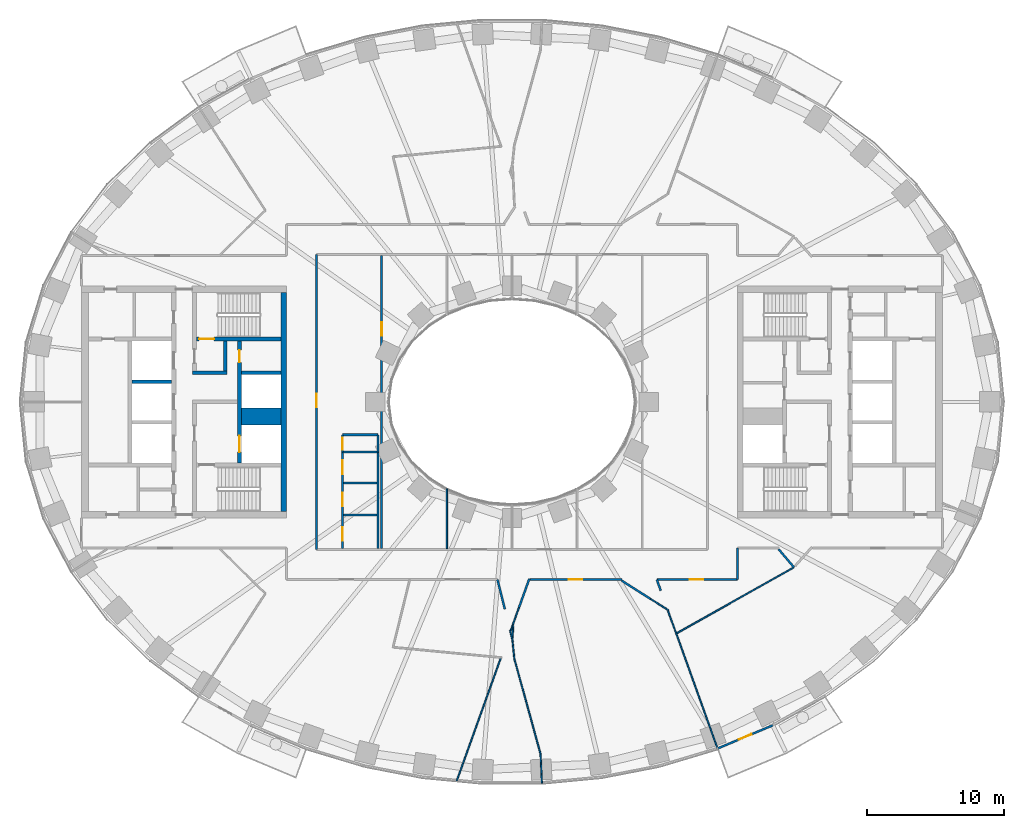
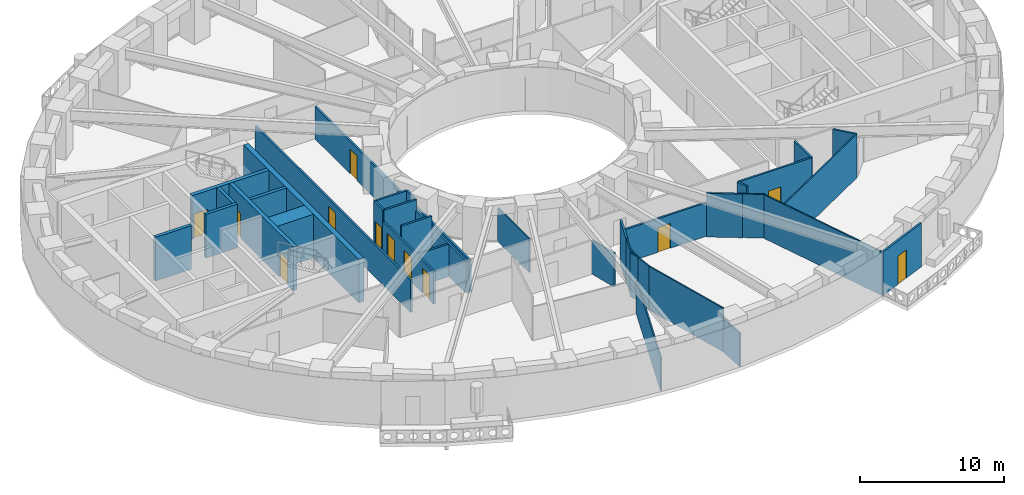
# One storey, part 4 of 15: 38 walls, 12 doors, 12 openings.
"""IFC4 building model written with IfcOpenShell, lengths in metres."""

import ifcopenshell
import ifcopenshell.guid

model = None  # the IFC model being written
_history = None  # IfcOwnerHistory: only IFC2X3 demands one
_inside = {}  # id of a spatial element -> (the spatial element, [elements in it])
_under = {}  # id of a project, library or spatial element -> (it, [spatial elements below it])
_declared = {}  # id of a project -> (the project, [libraries it declares])
_typed = {}  # id of a type object -> (the type object, [elements of that type])
_made_of = {}  # id of a material, layer set ... -> (it, [elements and type objects made of it])


def new_model(schema):
    """Start an empty IFC model of exactly this schema.

    Asked for "IFC4X3", IfcOpenShell would pick the latest addendum, in which some entities
    have other attributes; the version numbers below select the first issue.
    IFC2X3 requires an IfcOwnerHistory on every rooted entity: one is made here for all.
    """
    global model, _history
    if schema == "IFC4X3":
        model = ifcopenshell.file(schema_version=(4, 3, 0, 0))
    else:
        model = ifcopenshell.file(schema=schema)
    _inside.clear()
    _under.clear()
    _declared.clear()
    _typed.clear()
    _made_of.clear()
    _history = None
    if model.schema == "IFC2X3":
        org = make("IfcOrganization", Name="unknown")
        user = make(
            "IfcPersonAndOrganization",
            ThePerson=make("IfcPerson", FamilyName="unknown"),
            TheOrganization=org,
        )
        app = make(
            "IfcApplication",
            ApplicationDeveloper=org,
            Version="unknown",
            ApplicationFullName="unknown",
            ApplicationIdentifier="unknown",
        )
        _history = make(
            "IfcOwnerHistory",
            OwningUser=user,
            OwningApplication=app,
            ChangeAction="ADDED",
            CreationDate=0,
        )
    return model


def make(cls, **values):
    """One entity of the class cls with the attributes given. An attribute that is None is left unset."""
    return model.create_entity(
        cls, **{name: value for name, value in values.items() if value is not None}
    )


def rooted(cls, **values):
    """An entity with a GlobalId (a new one), such as an element, a storey or a relation."""
    return make(cls, GlobalId=ifcopenshell.guid.new(), OwnerHistory=_history, **values)


def si_unit(unit_type, name, prefix=None):
    """IfcSIUnit, for example si_unit("LENGTHUNIT", "METRE", prefix="MILLI")."""
    return make("IfcSIUnit", UnitType=unit_type, Prefix=prefix, Name=name)


def assignment(units):
    """IfcUnitAssignment: the units of a project."""
    return None if units is None else make("IfcUnitAssignment", Units=units)


def point(xyz):
    """IfcCartesianPoint."""
    return None if xyz is None else make("IfcCartesianPoint", Coordinates=xyz)


def direction(xyz):
    """IfcDirection."""
    return None if xyz is None else make("IfcDirection", DirectionRatios=xyz)


def frame(location, z_axis=None, x_axis=None):
    """IfcAxis2Placement3D, a coordinate frame: its origin and axes. An axis left out is left unset."""
    return make(
        "IfcAxis2Placement3D",
        Location=point(location),
        Axis=direction(z_axis),
        RefDirection=direction(x_axis),
    )


def frame_2d(location, x_axis=None):
    """IfcAxis2Placement2D, a coordinate frame in the plane: its origin and x axis."""
    return make(
        "IfcAxis2Placement2D", Location=point(location), RefDirection=direction(x_axis)
    )


def origin():
    """The frame at (0, 0, 0) with its axes left unset."""
    return frame((0.0, 0.0, 0.0))


def place(relative_to, where):
    """IfcLocalPlacement: puts the frame where relative to a parent placement (None: the world)."""
    return make(
        "IfcLocalPlacement", PlacementRelTo=relative_to, RelativePlacement=where
    )


def context(
    kind, dimensions, precision=None, world=None, true_north=None, identifier=None
):
    """IfcGeometricRepresentationContext, for example the 3D "Model" context."""
    return make(
        "IfcGeometricRepresentationContext",
        ContextIdentifier=identifier,
        ContextType=kind,
        CoordinateSpaceDimension=dimensions,
        Precision=precision,
        WorldCoordinateSystem=world,
        TrueNorth=true_north,
    )


def subcontext(parent, identifier, kind, view, scale=None):
    """IfcGeometricRepresentationSubContext, for example "Body" below "Model"."""
    return make(
        "IfcGeometricRepresentationSubContext",
        ContextIdentifier=identifier,
        ContextType=kind,
        ParentContext=parent,
        TargetScale=scale,
        TargetView=view,
    )


def project(units=None, contexts=None):
    """IfcProject with its units and contexts."""
    return rooted(
        "IfcProject",
        Name="project",
        RepresentationContexts=contexts,
        UnitsInContext=assignment(units),
    )


def spatial(cls, under=None, at=None, **own):
    """A site, building, storey or space (cls), placed at a placement, below another one or the project."""
    s = rooted(cls, ObjectPlacement=at, **own)
    if under is not None:
        _under.setdefault(under.id(), (under, []))[1].append(s)
    return s


def profile(cls, at=None, kind="AREA", **sizes):
    """A parametric profile (cls). Its sizes go by their IFC names, for example OverallWidth=200.0."""
    return make(cls, ProfileType=kind, Position=at, **sizes)


def rectangle(**sizes):
    """IfcRectangleProfileDef."""
    return profile("IfcRectangleProfileDef", **sizes)


def extrude(swept, where, along, depth):
    """IfcExtrudedAreaSolid: the profile swept, set in the frame where, extruded along a direction by depth."""
    return make(
        "IfcExtrudedAreaSolid",
        SweptArea=swept,
        Position=where,
        ExtrudedDirection=direction(along),
        Depth=depth,
    )


def shape(context_of_items, identifier, shape_type, items):
    """IfcShapeRepresentation: the items that make up one representation, for example the "Body"."""
    return make(
        "IfcShapeRepresentation",
        ContextOfItems=context_of_items,
        RepresentationIdentifier=identifier,
        RepresentationType=shape_type,
        Items=items,
    )


def material(Name=None, Category=None):
    """IfcMaterial."""
    return make("IfcMaterial", Name=Name, Category=Category)


def layer(
    of_material, thickness, ventilated=None, Name=None, Category=None, Priority=None
):
    """IfcMaterialLayer: one layer of a wall or slab, of a material (None: an air gap)."""
    return make(
        "IfcMaterialLayer",
        Material=of_material,
        LayerThickness=thickness,
        IsVentilated=ventilated,
        Name=Name,
        Category=Category,
        Priority=Priority,
    )


def layer_set(layers, Name=None):
    """IfcMaterialLayerSet."""
    return make("IfcMaterialLayerSet", MaterialLayers=layers, LayerSetName=Name)


def made_of(thing, what):
    """Note that an element or type object is made of a material, layer set ...; save() writes the relation."""
    if what is not None:
        _made_of.setdefault(what.id(), (what, []))[1].append(thing)
    return thing


def type_object(cls, material=None, **own):
    """A type object (cls), such as IfcWallType, which elements share."""
    return made_of(rooted(cls, **own), material)


def element(
    cls,
    number,
    at=None,
    inside=None,
    cuts=None,
    type_object=None,
    material=None,
    context=None,
    identifier="Body",
    shape_type=None,
    held_by="IfcProductDefinitionShape",
    body=None,
    shapes=None,
    **own,
):
    """One element of the class cls, such as IfcWall. Its Tag is "e" and its number.

    at: its placement. inside: the storey or other place that contains it. cuts: it is an
    opening in that element (IfcRelVoidsElement). A single representation is given by context,
    identifier, shape_type and body (its items); several are given by shapes. held_by: the class
    of the entity that holds the representations. save() writes the other relations.
    """
    e = rooted(cls, Tag="e%d" % number, ObjectPlacement=at, **own)
    if body is not None:
        shapes = [shape(context, identifier, shape_type, body)]
    if shapes is not None:
        e.Representation = make(held_by, Representations=shapes)
    if inside is not None:
        _inside.setdefault(inside.id(), (inside, []))[1].append(e)
    if cuts is not None:
        rooted(
            "IfcRelVoidsElement", RelatingBuildingElement=cuts, RelatedOpeningElement=e
        )
    if type_object is not None:
        _typed.setdefault(type_object.id(), (type_object, []))[1].append(e)
    return made_of(e, material)


def fill(opening, filler):
    """IfcRelFillsElement: the door or window that sits in an opening."""
    return rooted(
        "IfcRelFillsElement",
        RelatingOpeningElement=opening,
        RelatedBuildingElement=filler,
    )


def aggregate(whole, parts):
    """IfcRelAggregates: a whole, such as a stair, and the parts it consists of."""
    return rooted("IfcRelAggregates", RelatingObject=whole, RelatedObjects=parts)


def save(model, path):
    """Write the relations noted so far, then the file.

    IfcRelAggregates (storeys below a building ...), IfcRelContainedInSpatialStructure (elements
    in a storey), IfcRelDefinesByType, IfcRelAssociatesMaterial and IfcRelDeclares: one each for
    every whole, place, type object, material and project.
    """
    for whole, parts in _under.values():
        aggregate(whole, parts)
    for where, things in _inside.values():
        rooted(
            "IfcRelContainedInSpatialStructure",
            RelatedElements=things,
            RelatingStructure=where,
        )
    for kind, things in _typed.values():
        rooted("IfcRelDefinesByType", RelatedObjects=things, RelatingType=kind)
    for what, things in _made_of.values():
        rooted("IfcRelAssociatesMaterial", RelatedObjects=things, RelatingMaterial=what)
    for by, libraries in _declared.values():
        rooted("IfcRelDeclares", RelatingContext=by, RelatedDefinitions=libraries)
    model.write(path)


model = new_model("IFC4")

# Units and contexts
model_context = context("Model", 3, precision=1e-05, world=origin(), true_north=direction((0.0, 1.0)))
body_context = subcontext(model_context, "Body", "Model", "MODEL_VIEW")
ifc_project = project(units=[si_unit("LENGTHUNIT", "METRE"), si_unit("AREAUNIT", "SQUARE_METRE"), si_unit("VOLUMEUNIT", "CUBIC_METRE"), si_unit("PLANEANGLEUNIT", "RADIAN"), si_unit("MASSUNIT", "GRAM", prefix="KILO")], contexts=[model_context])

# Site, building, storey
site_placement = place(None, origin())
site = spatial("IfcSite", under=ifc_project, at=site_placement, CompositionType="ELEMENT")
building_placement = place(site_placement, origin())
building = spatial("IfcBuilding", under=site, at=building_placement, Name="Noorbagh Ring Tower", CompositionType="ELEMENT")
storey_placement = place(building_placement, frame((0.0, 0.0, 50.5)))
storey = spatial("IfcBuildingStorey", under=building, at=storey_placement, Name="L10", CompositionType="ELEMENT", Elevation=50.5)

# Wall, opening, door
ifc_material_1 = material(Name="Gypsum board on steel studs", Category="steel")
ifc_layer_1 = layer(ifc_material_1, 0.14990234375)
ifc_layer_set_1 = layer_set([ifc_layer_1], Name="Gypsum board on steel studs")
wall_type_1 = type_object("IfcWallType", Name="COMPARTMENT PARTITION 150 EI 60", PredefinedType="PARTITIONING", material=ifc_layer_set_1)
wall_1_placement = place(storey_placement, frame((-12.39990234375, -3.659912109375, 0.0), z_axis=(0.0, 0.0, 1.0), x_axis=(0.0, 1.0, 0.0)))
wall_1 = element("IfcWall", 1, at=wall_1_placement, inside=storey, type_object=wall_type_1, Name="L10/wall/P22", PredefinedType="PARTITIONING", context=body_context, shape_type="SweptSolid", body=[
    extrude(rectangle(XDim=1.260009765625, YDim=0.14990234375, at=frame_2d((0.6298828125, 0.0))), origin(), (0.0, 0.0, 1.0), 3.699951171875),
])
opening_1_placement = place(wall_1_placement, frame((0.14990234375, 0.0, 0.0)))
opening_1 = element("IfcOpeningElement", 2, at=opening_1_placement, cuts=wall_1, Name="Opening D4", PredefinedType="OPENING", context=body_context, shape_type="SweptSolid", body=[
    extrude(rectangle(XDim=0.89990234375, YDim=2.10009765625, at=frame_2d((0.449951171875, 1.050048828125))), frame((0.0, 0.0849609375, 0.0), z_axis=(0.0, -1.0, 0.0), x_axis=(1.0, 0.0, 0.0)), (0.0, 0.0, 1.0), 0.169921875),
])
ifc_material_2 = material(Name="Timber, painted", Category="wood")
door_type_1 = type_object("IfcDoorType", Name="DOOR 900 X 2100 FD60", OperationType="SINGLE_SWING_LEFT", PredefinedType="DOOR", material=ifc_material_2)
door_1_placement = place(opening_1_placement, origin())
door_1 = element("IfcDoor", 3, at=door_1_placement, inside=storey, type_object=door_type_1, Name="L10-D05", OperationType="SINGLE_SWING_LEFT", OverallHeight=2.10009765625, OverallWidth=0.89990234375, PredefinedType="DOOR", context=body_context, shape_type="SweptSolid", body=[
    extrude(rectangle(XDim=0.89990234375, YDim=2.10009765625, at=frame_2d((0.449951171875, 1.050048828125))), frame((0.0, 0.02490234375, 0.0), z_axis=(0.0, -1.0, 0.0), x_axis=(1.0, 0.0, 0.0)), (0.0, 0.0, 1.0), 0.050048828125),
])
fill(opening_1, door_1)

# Walls
wall_2_placement = place(storey_placement, frame((-12.39990234375, -3.659912109375, 0.0), z_axis=(0.0, 0.0, 1.0), x_axis=(1.0, 0.0, 0.0)))
element("IfcWall", 4, at=wall_2_placement, inside=storey, type_object=wall_type_1, Name="L10/wall/P23", PredefinedType="PARTITIONING", context=body_context, shape_type="SweptSolid", body=[
    extrude(rectangle(XDim=2.599853515625, YDim=0.14990234375, at=frame_2d((1.2998046875, 0.0))), origin(), (0.0, 0.0, 1.0), 3.699951171875),
])
wall_3_placement = place(storey_placement, frame((-12.39990234375, -2.39990234375, 0.0), z_axis=(0.0, 0.0, 1.0), x_axis=(1.0, 0.0, 0.0)))
element("IfcWall", 5, at=wall_3_placement, inside=storey, type_object=wall_type_1, Name="L10/wall/P24", PredefinedType="PARTITIONING", context=body_context, shape_type="SweptSolid", body=[
    extrude(rectangle(XDim=2.595947265625, YDim=0.14990234375, at=frame_2d((1.2978515625, 0.0))), origin(), (0.0, 0.0, 1.0), 3.699951171875),
])
wall_4_placement = place(storey_placement, frame((-9.800048828125, -3.659912109375, 0.0), z_axis=(0.0, 0.0, 1.0), x_axis=(0.0, 1.0, 0.0)))
element("IfcWall", 6, at=wall_4_placement, inside=storey, type_object=wall_type_1, Name="L10/wall/P26", PredefinedType="PARTITIONING", context=body_context, shape_type="SweptSolid", body=[
    extrude(rectangle(XDim=1.255859375, YDim=0.14990234375, at=frame_2d((0.6279296875, 0.0))), origin(), (0.0, 0.0, 1.0), 3.699951171875),
])
ifc_material_3 = material(Name="Concrete C70/85", Category="concrete")
ifc_layer_2 = layer(ifc_material_3, 1.25)
ifc_layer_set_2 = layer_set([ifc_layer_2], Name="Concrete C70/85")
wall_type_2 = type_object("IfcWallType", Name="CORE-WALL-1250-C70-85-EI120", PredefinedType="SHEAR", material=ifc_layer_set_2)
wall_5_placement = place(storey_placement, frame((-16.89990234375, -1.074951171875, 0.0), z_axis=(0.0, 0.0, 1.0), x_axis=(-1.0, 0.0, 0.0)))
element("IfcWall", 7, at=wall_5_placement, inside=storey, type_object=wall_type_2, Name="Core wall W", PredefinedType="SHEAR", context=body_context, shape_type="SweptSolid", body=[
    extrude(rectangle(XDim=2.900146484375, YDim=1.25, at=frame_2d((1.4501953125, 0.0))), origin(), (0.0, 0.0, 1.0), 3.699951171875),
])
ifc_material_4 = material(Name="Concrete C70/85", Category="concrete")
ifc_layer_3 = layer(ifc_material_4, 0.25)
ifc_layer_set_3 = layer_set([ifc_layer_3], Name="Concrete C70/85")
wall_type_3 = type_object("IfcWallType", Name="CORE-WALL-250-C70-85-EI120", PredefinedType="SHEAR", material=ifc_layer_set_3)
for number, where, z_axis, x_axis, name in (
    (8, (-16.89990234375, 2.125, 0.0), (0.0, 0.0, 1.0), (-1.0, 0.0, 0.0), "Core wall W"),
    (9, (-24.89990234375, 1.47509765625, 0.0), (0.0, 0.0, 1.0), (-1.0, 0.0, 0.0), "Core wall W"),
):
    element("IfcWall", number, at=place(storey_placement, frame(where, z_axis=z_axis, x_axis=x_axis)), inside=storey, type_object=wall_type_3, Name=name, PredefinedType="SHEAR", context=body_context, shape_type="SweptSolid", body=[
        extrude(rectangle(XDim=2.900146484375, YDim=0.25, at=frame_2d((1.4501953125, 0.0))), origin(), (0.0, 0.0, 1.0), 3.699951171875),
    ])
ifc_material_5 = material(Name="Concrete C70/85", Category="concrete")
ifc_layer_4 = layer(ifc_material_5, 0.25)
ifc_layer_set_4 = layer_set([ifc_layer_4], Name="Concrete C70/85")
wall_type_4 = type_object("IfcWallType", Name="CORE-WALL-250-C70-85-EI240", PredefinedType="SHEAR", material=ifc_layer_set_4)
wall_6_placement = place(storey_placement, frame((-20.85009765625, 2.125, 0.0), z_axis=(0.0, 0.0, 1.0), x_axis=(-1.0, 0.0, 0.0)))
element("IfcWall", 10, at=wall_6_placement, inside=storey, type_object=wall_type_4, Name="Core wall W", PredefinedType="SHEAR", context=body_context, shape_type="SweptSolid", body=[
    extrude(rectangle(XDim=2.52978515625, YDim=0.25, at=frame_2d((1.264892578125, 0.0))), origin(), (0.0, 0.0, 1.0), 3.699951171875),
])
wall_7_placement = place(storey_placement, frame((-20.97509765625, 2.25, 0.0), z_axis=(0.0, 0.0, 1.0), x_axis=(0.0, 1.0, 0.0)))
element("IfcWall", 11, at=wall_7_placement, inside=storey, type_object=wall_type_4, Name="Core wall W", PredefinedType="SHEAR", context=body_context, shape_type="SweptSolid", body=[
    extrude(rectangle(XDim=2.199951171875, YDim=0.25, at=frame_2d((1.10009765625, 0.0))), origin(), (0.0, 0.0, 1.0), 3.699951171875),
])

# Wall, openings, doors
ifc_material_6 = material(Name="Concrete C70/85", Category="concrete")
ifc_layer_5 = layer(ifc_material_6, 0.300048828125)
ifc_layer_set_5 = layer_set([ifc_layer_5], Name="Concrete C70/85")
wall_type_5 = type_object("IfcWallType", Name="CORE-WALL-300-C70-85-EI120", PredefinedType="SHEAR", material=ifc_layer_set_5)
wall_8_placement = place(storey_placement, frame((-19.949951171875, -4.449951171875, 0.0), z_axis=(0.0, 0.0, 1.0), x_axis=(0.0, 1.0, 0.0)))
wall_8 = element("IfcWall", 12, at=wall_8_placement, inside=storey, type_object=wall_type_5, Name="Core wall W", PredefinedType="SHEAR", context=body_context, shape_type="SweptSolid", body=[
    extrude(rectangle(XDim=8.89990234375, YDim=0.300048828125, at=frame_2d((4.449951171875, 0.0))), origin(), (0.0, 0.0, 1.0), 3.699951171875),
])
opening_2_placement = place(wall_8_placement, frame((0.77490234375, 0.0, 0.0)))
opening_2 = element("IfcOpeningElement", 13, at=opening_2_placement, cuts=wall_8, Name="Opening L10-CW01", PredefinedType="OPENING", context=body_context, shape_type="SweptSolid", body=[
    extrude(rectangle(XDim=1.199951171875, YDim=2.10009765625, at=frame_2d((0.60009765625, 1.050048828125))), frame((0.0, 0.16015625, 0.0), z_axis=(0.0, -1.0, 0.0), x_axis=(1.0, 0.0, 0.0)), (0.0, 0.0, 1.0), 0.320068359375),
])
opening_3_placement = place(wall_8_placement, frame((7.35009765625, 0.0, 0.0)))
opening_3 = element("IfcOpeningElement", 14, at=opening_3_placement, cuts=wall_8, Name="Opening L10-CW11", PredefinedType="OPENING", context=body_context, shape_type="SweptSolid", body=[
    extrude(rectangle(XDim=0.89990234375, YDim=2.10009765625, at=frame_2d((0.449951171875, 1.050048828125))), frame((0.0, 0.16015625, 0.0), z_axis=(0.0, -1.0, 0.0), x_axis=(1.0, 0.0, 0.0)), (0.0, 0.0, 1.0), 0.320068359375),
])
ifc_material_7 = material(Name="Steel door leaf", Category="steel")
door_type_2 = type_object("IfcDoorType", Name="CORE-DOOR-DROOM", OperationType="SINGLE_SWING_LEFT", PredefinedType="DOOR", material=ifc_material_7)
door_2_placement = place(opening_3_placement, origin())
door_2 = element("IfcDoor", 15, at=door_2_placement, inside=storey, type_object=door_type_2, Name="Core room door L10-CW11", OperationType="SINGLE_SWING_LEFT", OverallHeight=2.10009765625, OverallWidth=0.89990234375, PredefinedType="DOOR", context=body_context, shape_type="SweptSolid", body=[
    extrude(rectangle(XDim=0.89990234375, YDim=2.10009765625, at=frame_2d((0.449951171875, 1.050048828125))), frame((0.0, 0.02490234375, 0.0), z_axis=(0.0, -1.0, 0.0), x_axis=(1.0, 0.0, 0.0)), (0.0, 0.0, 1.0), 0.050048828125),
])
fill(opening_3, door_2)
ifc_material_8 = material(Name="Steel door leaf", Category="steel")
door_type_3 = type_object("IfcDoorType", Name="CORE-DOOR-LDW", OperationType="DOUBLE_DOOR_SLIDING", PredefinedType="DOOR", material=ifc_material_8)
door_3_placement = place(opening_2_placement, origin())
door_3 = element("IfcDoor", 16, at=door_3_placement, inside=storey, type_object=door_type_3, Name="Landing door FF1 L10-CW01", OperationType="DOUBLE_DOOR_SLIDING", OverallHeight=2.10009765625, OverallWidth=1.199951171875, PredefinedType="DOOR", context=body_context, shape_type="SweptSolid", body=[
    extrude(rectangle(XDim=1.199951171875, YDim=2.10009765625, at=frame_2d((0.60009765625, 1.050048828125))), frame((0.0, 0.02490234375, 0.0), z_axis=(0.0, -1.0, 0.0), x_axis=(1.0, 0.0, 0.0)), (0.0, 0.0, 1.0), 0.050048828125),
])
fill(opening_2, door_3)

# Wall, opening, door
ifc_material_9 = material(Name="Concrete C70/85", Category="concrete")
ifc_layer_6 = layer(ifc_material_9, 0.300048828125)
ifc_layer_set_6 = layer_set([ifc_layer_6], Name="Concrete C70/85")
wall_type_6 = type_object("IfcWallType", Name="CORE-WALL-300-C70-85-EI240", PredefinedType="SHEAR", material=ifc_layer_set_6)
wall_9_placement = place(storey_placement, frame((-16.89990234375, 4.60009765625, 0.0), z_axis=(0.0, 0.0, 1.0), x_axis=(-1.0, 0.0, 0.0)))
wall_9 = element("IfcWall", 17, at=wall_9_placement, inside=storey, type_object=wall_type_6, Name="Core wall W", PredefinedType="SHEAR", context=body_context, shape_type="SweptSolid", body=[
    extrude(rectangle(XDim=6.18017578125, YDim=0.300048828125, at=frame_2d((3.090087890625, 0.0))), origin(), (0.0, 0.0, 1.0), 3.699951171875),
])
opening_4_placement = place(wall_9_placement, frame((4.89990234375, 0.0, 0.0)))
opening_4 = element("IfcOpeningElement", 18, at=opening_4_placement, cuts=wall_9, Name="Opening L10-CW05", PredefinedType="OPENING", context=body_context, shape_type="SweptSolid", body=[
    extrude(rectangle(XDim=1.10009765625, YDim=2.10009765625, at=frame_2d((0.550048828125, 1.050048828125))), frame((0.0, 0.16015625, 0.0), z_axis=(0.0, -1.0, 0.0), x_axis=(1.0, 0.0, 0.0)), (0.0, 0.0, 1.0), 0.320068359375),
])
ifc_material_10 = material(Name="Steel door leaf", Category="steel")
door_type_4 = type_object("IfcDoorType", Name="CORE-DOOR-DSTAIR", OperationType="SINGLE_SWING_LEFT", PredefinedType="DOOR", material=ifc_material_10)
door_4_placement = place(opening_4_placement, origin())
door_4 = element("IfcDoor", 19, at=door_4_placement, inside=storey, type_object=door_type_4, Name="Stair door ST1 L10-CW05", OperationType="SINGLE_SWING_RIGHT", OverallHeight=2.10009765625, OverallWidth=1.10009765625, PredefinedType="DOOR", context=body_context, shape_type="SweptSolid", body=[
    extrude(rectangle(XDim=1.10009765625, YDim=2.10009765625, at=frame_2d((0.550048828125, 1.050048828125))), frame((0.0, 0.02490234375, 0.0), z_axis=(0.0, -1.0, 0.0), x_axis=(1.0, 0.0, 0.0)), (0.0, 0.0, 1.0), 0.050048828125),
])
fill(opening_4, door_4)

# Wall
ifc_material_11 = material(Name="Concrete C70/85", Category="concrete")
ifc_layer_7 = layer(ifc_material_11, 0.39990234375)
ifc_layer_set_7 = layer_set([ifc_layer_7], Name="Concrete C70/85")
wall_type_7 = type_object("IfcWallType", Name="CORE-WALL-400-C70-85-EI240", PredefinedType="SHEAR", material=ifc_layer_set_7)
wall_10_placement = place(storey_placement, frame((-16.699951171875, -8.0, 0.0), z_axis=(0.0, 0.0, 1.0), x_axis=(0.0, 1.0, 0.0)))
element("IfcWall", 20, at=wall_10_placement, inside=storey, type_object=wall_type_7, Name="Core wall W", PredefinedType="SHEAR", context=body_context, shape_type="SweptSolid", body=[
    extrude(rectangle(XDim=16.0, YDim=0.39990234375, at=frame_2d((8.0, 0.0))), origin(), (0.0, 0.0, 1.0), 3.699951171875),
])

# Wall, opening, door
ifc_material_12 = material(Name="Gypsum board on steel studs", Category="steel")
ifc_layer_8 = layer(ifc_material_12, 0.14990234375)
ifc_layer_set_8 = layer_set([ifc_layer_8], Name="Gypsum board on steel studs")
wall_type_8 = type_object("IfcWallType", Name="CORRIDOR PARTITION 150 EI 30", PredefinedType="PARTITIONING", material=ifc_layer_set_8)
wall_11_placement = place(storey_placement, frame((-14.300048828125, -10.800048828125, 0.0), z_axis=(0.0, 0.0, 1.0), x_axis=(0.0, 1.0, 0.0)))
wall_11 = element("IfcWall", 21, at=wall_11_placement, inside=storey, type_object=wall_type_8, Name="L10/wall/P16", PredefinedType="PARTITIONING", context=body_context, shape_type="SweptSolid", body=[
    extrude(rectangle(XDim=21.60009765625, YDim=0.14990234375, at=frame_2d((10.800048828125, 0.0))), origin(), (0.0, 0.0, 1.0), 2.75),
])
opening_5_placement = place(wall_11_placement, frame((10.39990234375, 0.0, 0.0)))
opening_5 = element("IfcOpeningElement", 22, at=opening_5_placement, cuts=wall_11, Name="Opening D1", PredefinedType="OPENING", context=body_context, shape_type="SweptSolid", body=[
    extrude(rectangle(XDim=1.0, YDim=2.10009765625, at=frame_2d((0.5, 1.050048828125))), frame((0.0, 0.0849609375, 0.0), z_axis=(0.0, -1.0, 0.0), x_axis=(1.0, 0.0, 0.0)), (0.0, 0.0, 1.0), 0.169921875),
])
ifc_material_13 = material(Name="Timber, painted", Category="wood")
door_type_5 = type_object("IfcDoorType", Name="DOOR 1000 X 2100 FD30", OperationType="SINGLE_SWING_LEFT", PredefinedType="DOOR", material=ifc_material_13)
door_5_placement = place(opening_5_placement, origin())
door_5 = element("IfcDoor", 23, at=door_5_placement, inside=storey, type_object=door_type_5, Name="L10-D01", OperationType="SINGLE_SWING_LEFT", OverallHeight=2.10009765625, OverallWidth=1.0, PredefinedType="DOOR", context=body_context, shape_type="SweptSolid", body=[
    extrude(rectangle(XDim=1.0, YDim=2.10009765625, at=frame_2d((0.5, 1.050048828125))), frame((0.0, 0.02490234375, 0.0), z_axis=(0.0, -1.0, 0.0), x_axis=(1.0, 0.0, 0.0)), (0.0, 0.0, 1.0), 0.050048828125),
])
fill(opening_5, door_5)

# Wall, openings, doors
wall_12_placement = place(storey_placement, frame((-12.39990234375, -10.72509765625, 0.0), z_axis=(0.0, 0.0, 1.0), x_axis=(0.0, 1.0, 0.0)))
wall_12 = element("IfcWall", 24, at=wall_12_placement, inside=storey, type_object=wall_type_8, Name="L10/wall/P19", PredefinedType="PARTITIONING", context=body_context, shape_type="SweptSolid", body=[
    extrude(rectangle(XDim=7.065185546875, YDim=0.14990234375, at=frame_2d((3.53271484375, 0.0))), origin(), (0.0, 0.0, 1.0), 2.75),
])
opening_6_placement = place(wall_12_placement, frame((0.574951171875, 0.0, 0.0)))
opening_6 = element("IfcOpeningElement", 25, at=opening_6_placement, cuts=wall_12, Name="Opening D3", PredefinedType="OPENING", context=body_context, shape_type="SweptSolid", body=[
    extrude(rectangle(XDim=1.0, YDim=2.10009765625, at=frame_2d((0.5, 1.050048828125))), frame((0.0, 0.0849609375, 0.0), z_axis=(0.0, -1.0, 0.0), x_axis=(1.0, 0.0, 0.0)), (0.0, 0.0, 1.0), 0.169921875),
])
opening_7_placement = place(wall_12_placement, frame((3.094970703125, 0.0, 0.0)))
opening_7 = element("IfcOpeningElement", 26, at=opening_7_placement, cuts=wall_12, Name="Opening D3", PredefinedType="OPENING", context=body_context, shape_type="SweptSolid", body=[
    extrude(rectangle(XDim=1.0, YDim=2.10009765625, at=frame_2d((0.5, 1.050048828125))), frame((0.0, 0.0849609375, 0.0), z_axis=(0.0, -1.0, 0.0), x_axis=(1.0, 0.0, 0.0)), (0.0, 0.0, 1.0), 0.169921875),
])
opening_8_placement = place(wall_12_placement, frame((5.447021484375, 0.0, 0.0)))
opening_8 = element("IfcOpeningElement", 27, at=opening_8_placement, cuts=wall_12, Name="Opening D3", PredefinedType="OPENING", context=body_context, shape_type="SweptSolid", body=[
    extrude(rectangle(XDim=1.0, YDim=2.10009765625, at=frame_2d((0.5, 1.050048828125))), frame((0.0, 0.0849609375, 0.0), z_axis=(0.0, -1.0, 0.0), x_axis=(1.0, 0.0, 0.0)), (0.0, 0.0, 1.0), 0.169921875),
])
ifc_material_14 = material(Name="Timber, painted", Category="wood")
door_type_6 = type_object("IfcDoorType", Name="DOOR 1000 X 2100 WC", OperationType="SINGLE_SWING_LEFT", PredefinedType="DOOR", material=ifc_material_14)
door_6_placement = place(opening_6_placement, origin())
door_6 = element("IfcDoor", 28, at=door_6_placement, inside=storey, type_object=door_type_6, Name="L10-D02", OperationType="SINGLE_SWING_RIGHT", OverallHeight=2.10009765625, OverallWidth=1.0, PredefinedType="DOOR", context=body_context, shape_type="SweptSolid", body=[
    extrude(rectangle(XDim=1.0, YDim=2.10009765625, at=frame_2d((0.5, 1.050048828125))), frame((0.0, 0.02490234375, 0.0), z_axis=(0.0, -1.0, 0.0), x_axis=(1.0, 0.0, 0.0)), (0.0, 0.0, 1.0), 0.050048828125),
])
fill(opening_6, door_6)
door_7_placement = place(opening_7_placement, origin())
door_7 = element("IfcDoor", 29, at=door_7_placement, inside=storey, type_object=door_type_6, Name="L10-D03", OperationType="SINGLE_SWING_LEFT", OverallHeight=2.10009765625, OverallWidth=1.0, PredefinedType="DOOR", context=body_context, shape_type="SweptSolid", body=[
    extrude(rectangle(XDim=1.0, YDim=2.10009765625, at=frame_2d((0.5, 1.050048828125))), frame((0.0, 0.02490234375, 0.0), z_axis=(0.0, -1.0, 0.0), x_axis=(1.0, 0.0, 0.0)), (0.0, 0.0, 1.0), 0.050048828125),
])
fill(opening_7, door_7)
door_8_placement = place(opening_8_placement, origin())
door_8 = element("IfcDoor", 30, at=door_8_placement, inside=storey, type_object=door_type_6, Name="L10-D04", OperationType="SINGLE_SWING_RIGHT", OverallHeight=2.10009765625, OverallWidth=1.0, PredefinedType="DOOR", context=body_context, shape_type="SweptSolid", body=[
    extrude(rectangle(XDim=1.0, YDim=2.10009765625, at=frame_2d((0.5, 1.050048828125))), frame((0.0, 0.02490234375, 0.0), z_axis=(0.0, -1.0, 0.0), x_axis=(1.0, 0.0, 0.0)), (0.0, 0.0, 1.0), 0.050048828125),
])
fill(opening_8, door_8)

# Walls
wall_13_placement = place(storey_placement, frame((-12.324951171875, -8.280029296875, 0.0), z_axis=(0.0, 0.0, 1.0), x_axis=(1.0, 0.0, 0.0)))
element("IfcWall", 31, at=wall_13_placement, inside=storey, type_object=wall_type_8, Name="L10/wall/P20", PredefinedType="PARTITIONING", context=body_context, shape_type="SweptSolid", body=[
    extrude(rectangle(XDim=2.449951171875, YDim=0.14990234375, at=frame_2d((1.22509765625, 0.0))), origin(), (0.0, 0.0, 1.0), 2.75),
])
wall_14_placement = place(storey_placement, frame((-12.324951171875, -5.927978515625, 0.0), z_axis=(0.0, 0.0, 1.0), x_axis=(1.0, 0.0, 0.0)))
element("IfcWall", 32, at=wall_14_placement, inside=storey, type_object=wall_type_8, Name="L10/wall/P21", PredefinedType="PARTITIONING", context=body_context, shape_type="SweptSolid", body=[
    extrude(rectangle(XDim=2.449951171875, YDim=0.14990234375, at=frame_2d((1.22509765625, 0.0))), origin(), (0.0, 0.0, 1.0), 3.699951171875),
])
wall_15_placement = place(storey_placement, frame((-9.800048828125, -10.72509765625, 0.0), z_axis=(0.0, 0.0, 1.0), x_axis=(0.0, 1.0, 0.0)))
element("IfcWall", 33, at=wall_15_placement, inside=storey, type_object=wall_type_8, Name="L10/wall/P25", PredefinedType="PARTITIONING", context=body_context, shape_type="SweptSolid", body=[
    extrude(rectangle(XDim=7.065185546875, YDim=0.14990234375, at=frame_2d((3.53271484375, 0.0))), origin(), (0.0, 0.0, 1.0), 2.75),
])

# Wall, opening, door
wall_16_placement = place(storey_placement, frame((-9.532958984375, -10.72509765625, 0.0), z_axis=(0.0, 0.0, 1.0), x_axis=(0.0, 1.0, 0.0)))
wall_16 = element("IfcWall", 34, at=wall_16_placement, inside=storey, type_object=wall_type_8, Name="L10/wall/P27", PredefinedType="PARTITIONING", context=body_context, shape_type="SweptSolid", body=[
    extrude(rectangle(XDim=21.4501953125, YDim=0.14990234375, at=frame_2d((10.72509765625, 0.0))), origin(), (0.0, 0.0, 1.0), 2.75),
])
opening_9_placement = place(wall_16_placement, frame((15.574951171875, 0.0, 0.0)))
opening_9 = element("IfcOpeningElement", 35, at=opening_9_placement, cuts=wall_16, Name="Opening D1", PredefinedType="OPENING", context=body_context, shape_type="SweptSolid", body=[
    extrude(rectangle(XDim=1.0, YDim=2.10009765625, at=frame_2d((0.5, 1.050048828125))), frame((0.0, 0.0849609375, 0.0), z_axis=(0.0, -1.0, 0.0), x_axis=(1.0, 0.0, 0.0)), (0.0, 0.0, 1.0), 0.169921875),
])
door_9_placement = place(opening_9_placement, origin())
door_9 = element("IfcDoor", 36, at=door_9_placement, inside=storey, type_object=door_type_5, Name="L10-D20", OperationType="SINGLE_SWING_RIGHT", OverallHeight=2.10009765625, OverallWidth=1.0, PredefinedType="DOOR", context=body_context, shape_type="SweptSolid", body=[
    extrude(rectangle(XDim=1.0, YDim=2.10009765625, at=frame_2d((0.5, 1.050048828125))), frame((0.0, 0.02490234375, 0.0), z_axis=(0.0, -1.0, 0.0), x_axis=(1.0, 0.0, 0.0)), (0.0, 0.0, 1.0), 0.050048828125),
])
fill(opening_9, door_9)

# Walls
wall_17_placement = place(storey_placement, frame((-1.06103515625, -13.0, 0.0), z_axis=(0.0, 0.0, 1.0), x_axis=(0.240081023427, -0.9707528533, 0.0)))
element("IfcWall", 37, at=wall_17_placement, inside=storey, type_object=wall_type_8, Name="L10/wall/P38", PredefinedType="PARTITIONING", context=body_context, shape_type="SweptSolid", body=[
    extrude(rectangle(XDim=2.223876953125, YDim=0.14990234375, at=frame_2d((1.11181640625, 0.0))), origin(), (0.0, 0.0, 1.0), 2.85009765625),
])
wall_18_placement = place(storey_placement, frame((0.4990234375, -15.074951171875, 0.0), z_axis=(0.0, 0.0, 1.0), x_axis=(0.338871070746, 0.940832821181, 0.0)))
element("IfcWall", 38, at=wall_18_placement, inside=storey, type_object=wall_type_8, Name="L10/wall/P52", PredefinedType="PARTITIONING", context=body_context, shape_type="SweptSolid", body=[
    extrude(rectangle(XDim=2.281005859375, YDim=0.14990234375, at=frame_2d((1.140625, 0.0))), origin(), (0.0, 0.0, 1.0), 3.699951171875),
])

# Wall, opening, door
wall_19_placement = place(storey_placement, frame((1.325927734375, -13.0, 0.0), z_axis=(0.0, 0.0, 1.0), x_axis=(1.0, 0.0, 0.0)))
wall_19 = element("IfcWall", 39, at=wall_19_placement, inside=storey, type_object=wall_type_8, Name="L10/wall/P54", PredefinedType="PARTITIONING", context=body_context, shape_type="SweptSolid", body=[
    extrude(rectangle(XDim=6.72119140625, YDim=0.14990234375, at=frame_2d((3.360595703125, 0.0))), origin(), (0.0, 0.0, 1.0), 2.85009765625),
])
opening_10_placement = place(wall_19_placement, frame((2.820068359375, 0.0, 0.0)))
opening_10 = element("IfcOpeningElement", 40, at=opening_10_placement, cuts=wall_19, Name="Opening D1", PredefinedType="OPENING", context=body_context, shape_type="SweptSolid", body=[
    extrude(rectangle(XDim=1.0, YDim=2.10009765625, at=frame_2d((0.5, 1.050048828125))), frame((0.0, 0.0849609375, 0.0), z_axis=(0.0, -1.0, 0.0), x_axis=(1.0, 0.0, 0.0)), (0.0, 0.0, 1.0), 0.169921875),
])
door_10_placement = place(opening_10_placement, origin())
door_10 = element("IfcDoor", 41, at=door_10_placement, inside=storey, type_object=door_type_5, Name="L10-D14", OperationType="SINGLE_SWING_RIGHT", OverallHeight=2.10009765625, OverallWidth=1.0, PredefinedType="DOOR", context=body_context, shape_type="SweptSolid", body=[
    extrude(rectangle(XDim=1.0, YDim=2.10009765625, at=frame_2d((0.5, 1.050048828125))), frame((0.0, 0.02490234375, 0.0), z_axis=(0.0, -1.0, 0.0), x_axis=(1.0, 0.0, 0.0)), (0.0, 0.0, 1.0), 0.050048828125),
])
fill(opening_10, door_10)

# Walls
wall_20_placement = place(storey_placement, frame((8.028076171875, -13.076904296875, 0.0), z_axis=(0.0, 0.0, 1.0), x_axis=(0.844718865656, -0.53521027457, 0.0)))
element("IfcWall", 42, at=wall_20_placement, inside=storey, type_object=wall_type_8, Name="L10/wall/P60", PredefinedType="PARTITIONING", context=body_context, shape_type="SweptSolid", body=[
    extrude(rectangle(XDim=2.49658203125, YDim=0.14990234375, at=frame_2d((1.248291015625, 0.0))), origin(), (0.0, 0.0, 1.0), 3.699951171875),
])
wall_21_placement = place(storey_placement, frame((10.594970703125, -13.0, 0.0), z_axis=(0.0, 0.0, 1.0), x_axis=(0.338378813476, -0.941009977944, 0.0)))
element("IfcWall", 43, at=wall_21_placement, inside=storey, type_object=wall_type_8, Name="L10/wall/P65", PredefinedType="PARTITIONING", context=body_context, shape_type="SweptSolid", body=[
    extrude(rectangle(XDim=0.863037109375, YDim=0.14990234375, at=frame_2d((0.431640625, 0.0))), origin(), (0.0, 0.0, 1.0), 3.699951171875),
])

# Wall, opening, door
wall_22_placement = place(storey_placement, frame((10.60693359375, -13.0, 0.0), z_axis=(0.0, 0.0, 1.0), x_axis=(1.0, 0.0, 0.0)))
wall_22 = element("IfcWall", 44, at=wall_22_placement, inside=storey, type_object=wall_type_8, Name="L10/wall/P67", PredefinedType="PARTITIONING", context=body_context, shape_type="SweptSolid", body=[
    extrude(rectangle(XDim=5.89306640625, YDim=0.14990234375, at=frame_2d((2.946533203125, 0.0))), origin(), (0.0, 0.0, 1.0), 3.699951171875),
])
opening_11_placement = place(wall_22_placement, frame((2.39990234375, 0.0, 0.0)))
opening_11 = element("IfcOpeningElement", 45, at=opening_11_placement, cuts=wall_22, Name="Opening D1", PredefinedType="OPENING", context=body_context, shape_type="SweptSolid", body=[
    extrude(rectangle(XDim=1.0, YDim=2.10009765625, at=frame_2d((0.5, 1.050048828125))), frame((0.0, 0.0849609375, 0.0), z_axis=(0.0, -1.0, 0.0), x_axis=(1.0, 0.0, 0.0)), (0.0, 0.0, 1.0), 0.169921875),
])
door_11_placement = place(opening_11_placement, origin())
door_11 = element("IfcDoor", 46, at=door_11_placement, inside=storey, type_object=door_type_5, Name="L10-D16", OperationType="SINGLE_SWING_RIGHT", OverallHeight=2.10009765625, OverallWidth=1.0, PredefinedType="DOOR", context=body_context, shape_type="SweptSolid", body=[
    extrude(rectangle(XDim=1.0, YDim=2.10009765625, at=frame_2d((0.5, 1.050048828125))), frame((0.0, 0.02490234375, 0.0), z_axis=(0.0, -1.0, 0.0), x_axis=(1.0, 0.0, 0.0)), (0.0, 0.0, 1.0), 0.050048828125),
])
fill(opening_11, door_11)

# Walls
wall_23_placement = place(storey_placement, frame((16.5, -13.0, 0.0), z_axis=(0.0, 0.0, 1.0), x_axis=(0.0, 1.0, 0.0)))
element("IfcWall", 47, at=wall_23_placement, inside=storey, type_object=wall_type_8, Name="L10/wall/P74", PredefinedType="PARTITIONING", context=body_context, shape_type="SweptSolid", body=[
    extrude(rectangle(XDim=2.300048828125, YDim=0.14990234375, at=frame_2d((1.14990234375, 0.0))), origin(), (0.0, 0.0, 1.0), 3.699951171875),
])
wall_24_placement = place(storey_placement, frame((19.510986328125, -10.778076171875, 0.0), z_axis=(0.0, 0.0, 1.0), x_axis=(0.646491141339, -0.762921492796, 0.0)))
element("IfcWall", 48, at=wall_24_placement, inside=storey, type_object=wall_type_8, Name="L10/wall/P78", PredefinedType="PARTITIONING", context=body_context, shape_type="SweptSolid", body=[
    extrude(rectangle(XDim=1.734130859375, YDim=0.14990234375, at=frame_2d((0.8671875, 0.0))), origin(), (0.0, 0.0, 1.0), 3.699951171875),
])

# Wall, opening, door
ifc_material_15 = material(Name="Insulated aluminium clad panel", Category="aluminium")
ifc_layer_9 = layer(ifc_material_15, 0.14990234375)
ifc_layer_set_9 = layer_set([ifc_layer_9], Name="Insulated aluminium clad panel")
wall_type_9 = type_object("IfcWallType", Name="ENV-WALL-DOOR", PredefinedType="STANDARD", material=ifc_layer_set_9)
wall_25_placement = place(storey_placement, frame((15.017822265625, -25.368896484375, 0.0), z_axis=(0.0, 0.0, 1.0), x_axis=(0.921816985161, 0.387625393736, 0.0)))
wall_25 = element("IfcWall", 49, at=wall_25_placement, inside=storey, type_object=wall_type_9, Name="Balcony door wall chord 39", PredefinedType="STANDARD", context=body_context, shape_type="SweptSolid", body=[
    extrude(rectangle(XDim=4.42578125, YDim=0.14990234375, at=frame_2d((2.212890625, 0.0))), origin(), (0.0, 0.0, 1.0), 3.699951171875),
])
opening_12_placement = place(wall_25_placement, frame((1.712890625, 0.0, 0.0)))
opening_12 = element("IfcOpeningElement", 50, at=opening_12_placement, cuts=wall_25, Name="Opening D-BL", PredefinedType="OPENING", context=body_context, shape_type="SweptSolid", body=[
    extrude(rectangle(XDim=1.0, YDim=2.39990234375, at=frame_2d((0.5, 1.199951171875))), frame((0.0, 0.0849609375, 0.0), z_axis=(0.0, -1.0, 0.0), x_axis=(1.0, 0.0, 0.0)), (0.0, 0.0, 1.0), 0.169921875),
])
ifc_material_16 = material(Name="Aluminium and glass", Category="aluminium")
door_type_7 = type_object("IfcDoorType", Name="ENV-DOOR-BALCONY", OperationType="SINGLE_SWING_LEFT", PredefinedType="DOOR", material=ifc_material_16)
door_12_placement = place(opening_12_placement, origin())
door_12 = element("IfcDoor", 51, at=door_12_placement, inside=storey, type_object=door_type_7, Name="Balcony door chord 39", OperationType="SINGLE_SWING_LEFT", OverallHeight=2.39990234375, OverallWidth=1.0, PredefinedType="DOOR", context=body_context, shape_type="SweptSolid", body=[
    extrude(rectangle(XDim=1.0, YDim=2.39990234375, at=frame_2d((0.5, 1.199951171875))), frame((0.0, 0.02490234375, 0.0), z_axis=(0.0, -1.0, 0.0), x_axis=(1.0, 0.0, 0.0)), (0.0, 0.0, 1.0), 0.050048828125),
])
fill(opening_12, door_12)

# Walls
ifc_material_17 = material(Name="Gypsum board on steel studs", Category="steel")
ifc_layer_10 = layer(ifc_material_17, 0.10009765625)
ifc_layer_set_10 = layer_set([ifc_layer_10], Name="Gypsum board on steel studs")
wall_type_10 = type_object("IfcWallType", Name="PARTITION 100 GYPSUM", PredefinedType="PARTITIONING", material=ifc_layer_set_10)
wall_26_placement = place(storey_placement, frame((-4.76708984375, -10.72509765625, 0.0), z_axis=(0.0, 0.0, 1.0), x_axis=(0.0, 1.0, 0.0)))
element("IfcWall", 52, at=wall_26_placement, inside=storey, type_object=wall_type_10, Name="L10/wall/P34", PredefinedType="PARTITIONING", context=body_context, shape_type="SweptSolid", body=[
    extrude(rectangle(XDim=4.362060546875, YDim=0.10009765625, at=frame_2d((2.18115234375, 0.0))), origin(), (0.0, 0.0, 1.0), 2.85009765625),
])
wall_27_placement = place(storey_placement, frame((-4.0458984375, -27.717041015625, 0.0), z_axis=(0.0, 0.0, 1.0), x_axis=(0.338447260677, 0.940985362129, 0.0)))
element("IfcWall", 53, at=wall_27_placement, inside=storey, type_object=wall_type_10, Name="L10/wall/P36", PredefinedType="PARTITIONING", context=body_context, shape_type="SweptSolid", body=[
    extrude(rectangle(XDim=9.5283203125, YDim=0.10009765625, at=frame_2d((4.76416015625, 0.0))), origin(), (0.0, 0.0, 1.0), 2.85009765625),
])
wall_28_placement = place(storey_placement, frame((-0.14306640625, -16.715087890625, 0.0), z_axis=(0.0, 0.0, 1.0), x_axis=(0.23958475997, -0.970875451739, 0.0)))
element("IfcWall", 54, at=wall_28_placement, inside=storey, type_object=wall_type_10, Name="L10/wall/P40", PredefinedType="PARTITIONING", context=body_context, shape_type="SweptSolid", body=[
    extrude(rectangle(XDim=0.87646484375, YDim=0.10009765625, at=frame_2d((0.438232421875, 0.0))), origin(), (0.0, 0.0, 1.0), 3.699951171875),
])
wall_29_placement = place(storey_placement, frame((-0.090087890625, -16.718017578125, 0.0), z_axis=(0.0, 0.0, 1.0), x_axis=(0.3382216124, 0.941066491225, 0.0)))
element("IfcWall", 55, at=wall_29_placement, inside=storey, type_object=wall_type_10, Name="L10/wall/P41", PredefinedType="PARTITIONING", context=body_context, shape_type="SweptSolid", body=[
    extrude(rectangle(XDim=1.771484375, YDim=0.10009765625, at=frame_2d((0.8857421875, 0.0))), origin(), (0.0, 0.0, 1.0), 3.699951171875),
])
wall_30_placement = place(storey_placement, frame((0.0400390625, -17.283935546875, 0.0), z_axis=(0.0, 0.0, 1.0), x_axis=(0.047302948177, 0.998880589006, 0.0)))
element("IfcWall", 56, at=wall_30_placement, inside=storey, type_object=wall_type_10, Name="L10/wall/P46", PredefinedType="PARTITIONING", context=body_context, shape_type="SweptSolid", body=[
    extrude(rectangle(XDim=0.928955078125, YDim=0.10009765625, at=frame_2d((0.46435546875, 0.0))), origin(), (0.0, 0.0, 1.0), 3.699951171875),
])
wall_31_placement = place(storey_placement, frame((0.0380859375, -17.47412109375, 0.0), z_axis=(0.0, 0.0, 1.0), x_axis=(0.100886401076, -0.99489795159, 0.0)))
element("IfcWall", 57, at=wall_31_placement, inside=storey, type_object=wall_type_10, Name="L10/wall/P48", PredefinedType="PARTITIONING", context=body_context, shape_type="SweptSolid", body=[
    extrude(rectangle(XDim=1.32861328125, YDim=0.10009765625, at=frame_2d((0.664306640625, 0.0))), origin(), (0.0, 0.0, 1.0), 3.699951171875),
])
wall_32_placement = place(storey_placement, frame((0.172119140625, -18.7958984375, 0.0), z_axis=(0.0, 0.0, 1.0), x_axis=(0.265628515821, -0.964075459486, 0.0)))
element("IfcWall", 58, at=wall_32_placement, inside=storey, type_object=wall_type_10, Name="L10/wall/P50", PredefinedType="PARTITIONING", context=body_context, shape_type="SweptSolid", body=[
    extrude(rectangle(XDim=7.212158203125, YDim=0.10009765625, at=frame_2d((3.60595703125, 0.0))), origin(), (0.0, 0.0, 1.0), 3.699951171875),
])
wall_33_placement = place(storey_placement, frame((2.089111328125, -25.77001953125, 0.0), z_axis=(0.0, 0.0, 1.0), x_axis=(0.04733101585, -0.99887925944, 0.0)))
element("IfcWall", 59, at=wall_33_placement, inside=storey, type_object=wall_type_10, Name="L10/wall/P56", PredefinedType="PARTITIONING", context=body_context, shape_type="SweptSolid", body=[
    extrude(rectangle(XDim=2.13037109375, YDim=0.10009765625, at=frame_2d((1.065185546875, 0.0))), origin(), (0.0, 0.0, 1.0), 2.85009765625),
])
wall_34_placement = place(storey_placement, frame((10.136962890625, -14.4130859375, 0.0), z_axis=(0.0, 0.0, 1.0), x_axis=(0.844849680057, -0.535003755228, 0.0)))
element("IfcWall", 60, at=wall_34_placement, inside=storey, type_object=wall_type_10, Name="L10/wall/P63", PredefinedType="PARTITIONING", context=body_context, shape_type="SweptSolid", body=[
    extrude(rectangle(XDim=1.5625, YDim=0.10009765625, at=frame_2d((0.78125, 0.0))), origin(), (0.0, 0.0, 1.0), 3.699951171875),
])
wall_35_placement = place(storey_placement, frame((11.416015625, -15.281982421875, 0.0), z_axis=(0.0, 0.0, 1.0), x_axis=(0.338824973611, -0.940849423265, 0.0)))
element("IfcWall", 61, at=wall_35_placement, inside=storey, type_object=wall_type_10, Name="L10/wall/P69", PredefinedType="PARTITIONING", context=body_context, shape_type="SweptSolid", body=[
    extrude(rectangle(XDim=10.734130859375, YDim=0.10009765625, at=frame_2d((5.3671875, 0.0))), origin(), (0.0, 0.0, 1.0), 3.699951171875),
])
wall_36_placement = place(storey_placement, frame((12.06005859375, -16.924072265625, 0.0), z_axis=(0.0, 0.0, 1.0), x_axis=(0.871521837039, 0.490356694218, 0.0)))
element("IfcWall", 62, at=wall_36_placement, inside=storey, type_object=wall_type_10, Name="L10/wall/P71", PredefinedType="PARTITIONING", context=body_context, shape_type="SweptSolid", body=[
    extrude(rectangle(XDim=9.835693359375, YDim=0.10009765625, at=frame_2d((4.91796875, 0.0))), origin(), (0.0, 0.0, 1.0), 3.699951171875),
])

save(model, "model.ifc")
